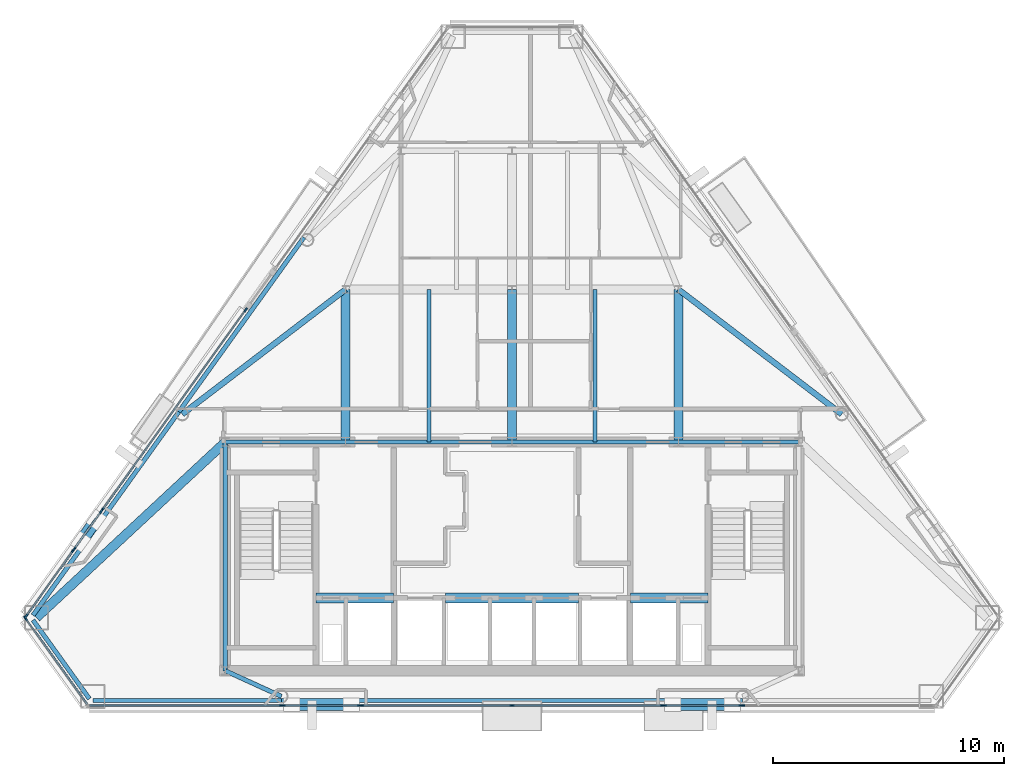
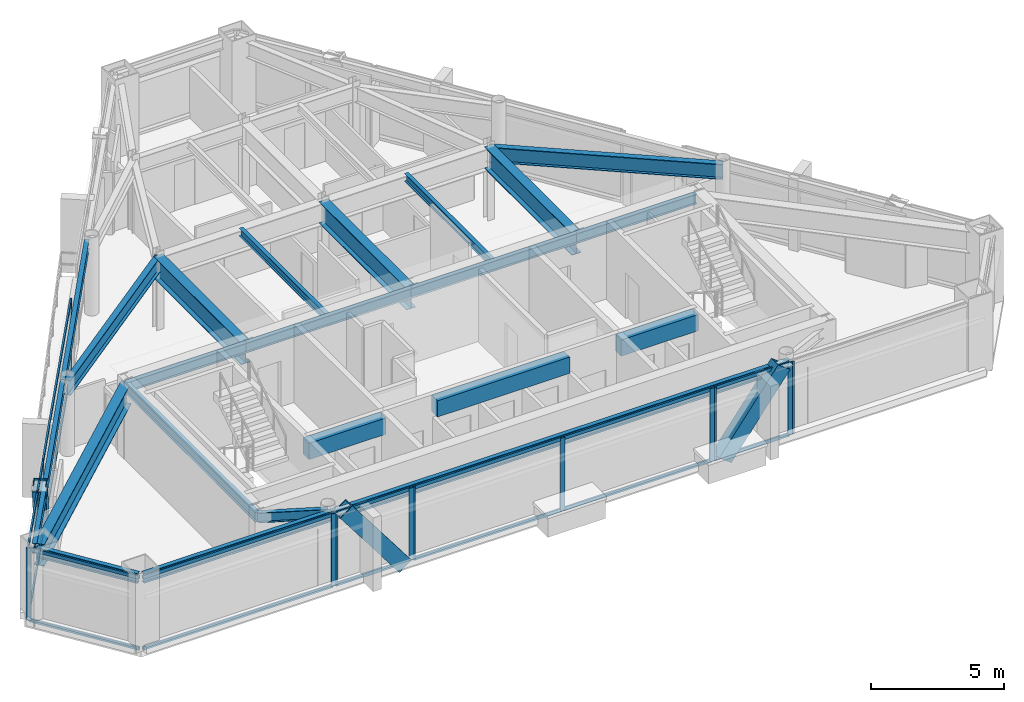
# One storey, part 3 of 11: 37 members, 22 beams, 9 elements without a shape of their own.
"""IFC4 building model written with IfcOpenShell, lengths in metres."""

from ifc_helpers import new_model, si_unit, direction, frame, origin, origin_2d, place, context, subcontext, project, spatial, rectangle, hollow_rectangle, i_section, extrude, material, layer, layer_set, material_profile, profile_set, type_object, element, aggregate, save


model = new_model("IFC4")

# Units and contexts
model_context = context("Model", 3, precision=1e-05, world=origin(), true_north=direction((0.0, 1.0)))
body_context = subcontext(model_context, "Body", "Model", "MODEL_VIEW")
ifc_project = project(units=[si_unit("LENGTHUNIT", "METRE"), si_unit("AREAUNIT", "SQUARE_METRE"), si_unit("VOLUMEUNIT", "CUBIC_METRE"), si_unit("PLANEANGLEUNIT", "RADIAN"), si_unit("MASSUNIT", "GRAM", prefix="KILO")], contexts=[model_context])

# Site, building, storey
site_placement = place(None, origin())
site = spatial("IfcSite", under=ifc_project, at=site_placement, CompositionType="ELEMENT")
building_placement = place(site_placement, origin())
building = spatial("IfcBuilding", under=site, at=building_placement, Name="Talgorran Terracotta Tower", CompositionType="ELEMENT")
storey_placement = place(building_placement, frame((0.0, 0.0, 233.39990234375)))
storey = spatial("IfcBuildingStorey", under=building, at=storey_placement, Name="L61", CompositionType="ELEMENT", Elevation=233.39990234375)

# Beams
ifc_material_1 = material(Name="Steel Grade 350 (350L0)", Category="steel")
ifc_material_profile_1 = material_profile(ifc_material_1, i_section(OverallWidth=0.39990234375, OverallDepth=1.0, WebThickness=0.01611328125, FlangeThickness=0.031005859375, at=origin_2d()), Name="1000WB296")
ifc_profile_set_1 = profile_set([ifc_material_profile_1], Name="Steel Grade 350 (350L0)")
beam_type_1 = type_object("IfcBeamType", Name="BM_1000WB296", PredefinedType="BEAM", material=ifc_profile_set_1)
for number, where, z_axis, x_axis, name in (
    (1, (-7.199951171875, -4.199951171875, 2.84521484375), (0.0, 1.0, 0.0), (-1.0, 0.0, 0.0), "L61 Floor Girder G01"),
    (2, (0.0, -4.199951171875, 2.84521484375), (0.0, 1.0, 0.0), (-1.0, 0.0, 0.0), "L61 Floor Girder G02"),
    (3, (7.199951171875, -4.199951171875, 2.84521484375), (0.0, 1.0, 0.0), (-1.0, 0.0, 0.0), "L61 Floor Girder G03"),
):
    element("IfcBeam", number, at=place(storey_placement, frame(where, z_axis=z_axis, x_axis=x_axis)), inside=storey, type_object=beam_type_1, Name=name, PredefinedType="BEAM", context=body_context, shape_type="SweptSolid", body=[
        extrude(i_section(OverallWidth=0.39990234375, OverallDepth=1.0, WebThickness=0.01611328125, FlangeThickness=0.031005859375, at=origin_2d()), origin(), (0.0, 0.0, 1.0), 6.599853515625),
    ])
beam_1_placement = place(storey_placement, frame((-12.39990234375, -4.199951171875, 2.84521484375), z_axis=(-0.732477257619, -0.68079150044, 0.0), x_axis=(0.68079150044, -0.732477257619, 0.0)))
element("IfcBeam", 4, at=beam_1_placement, inside=storey, type_object=beam_type_1, Name="L61 Floor Girder G17", PredefinedType="BEAM", context=body_context, shape_type="SweptSolid", body=[
    extrude(i_section(OverallWidth=0.39990234375, OverallDepth=1.0, WebThickness=0.01611328125, FlangeThickness=0.031005859375, at=origin_2d()), origin(), (0.0, 0.0, 1.0), 11.16650390625),
])
ifc_material_2 = material(Name="Steel S355 (300PLUS)", Category="steel")
ifc_material_profile_2 = material_profile(ifc_material_2, i_section(OverallWidth=0.25, OverallDepth=0.699951171875, WebThickness=0.011962890625, FlangeThickness=0.02392578125, at=origin_2d()), Name="700WB150")
ifc_profile_set_2 = profile_set([ifc_material_profile_2], Name="Steel S355 (300PLUS)")
beam_type_2 = type_object("IfcBeamType", Name="BM_700WB150", PredefinedType="BEAM", material=ifc_profile_set_2)
for number, where, z_axis, x_axis, name in (
    (5, (-7.199951171875, 2.39990234375, 2.9951171875), (-0.794675605049, -0.60703433407, 0.0), (0.60703433407, -0.794675605049, 0.0), "L61 Floor Girder G06"),
    (6, (7.199951171875, 2.39990234375, 2.9951171875), (0.794675605049, -0.60703433407, 0.0), (0.60703433407, 0.794675605049, 0.0), "L61 Floor Girder G07"),
):
    element("IfcBeam", number, at=place(storey_placement, frame(where, z_axis=z_axis, x_axis=x_axis)), inside=storey, type_object=beam_type_2, Name=name, PredefinedType="BEAM", context=body_context, shape_type="SweptSolid", body=[
        extrude(i_section(OverallWidth=0.25, OverallDepth=0.699951171875, WebThickness=0.011962890625, FlangeThickness=0.02392578125, at=origin_2d()), origin(), (0.0, 0.0, 1.0), 8.894287109375),
    ])
ifc_material_3 = material(Name="Concrete C50/60", Category="concrete")
ifc_material_profile_3 = material_profile(ifc_material_3, rectangle(XDim=0.449951171875, YDim=0.75, at=origin_2d()), Name="RCCB450X750")
ifc_profile_set_3 = profile_set([ifc_material_profile_3], Name="Concrete C50/60")
beam_type_3 = type_object("IfcBeamType", Name="BM_CB_450X750", PredefinedType="LINTEL", material=ifc_profile_set_3)
beam_2_placement = place(storey_placement, frame((-8.47998046875, -10.949951171875, 2.97021484375), z_axis=(1.0, 0.0, 0.0), x_axis=(0.0, 1.0, 0.0)))
element("IfcBeam", 7, at=beam_2_placement, inside=storey, type_object=beam_type_3, Name="L61 Core Shear-Wall Coupling Beam CB1", PredefinedType="LINTEL", context=body_context, shape_type="SweptSolid", body=[
    extrude(rectangle(XDim=0.449951171875, YDim=0.75, at=origin_2d()), origin(), (0.0, 0.0, 1.0), 3.35986328125),
])
beam_3_placement = place(storey_placement, frame((-2.8798828125, -10.949951171875, 2.97021484375), z_axis=(1.0, 0.0, 0.0), x_axis=(0.0, 1.0, 0.0)))
element("IfcBeam", 8, at=beam_3_placement, inside=storey, type_object=beam_type_3, Name="L61 Core Shear-Wall Coupling Beam CB2", PredefinedType="LINTEL", context=body_context, shape_type="SweptSolid", body=[
    extrude(rectangle(XDim=0.449951171875, YDim=0.75, at=origin_2d()), origin(), (0.0, 0.0, 1.0), 5.759765625),
])
beam_4_placement = place(storey_placement, frame((5.1201171875, -10.949951171875, 2.97021484375), z_axis=(1.0, 0.0, 0.0), x_axis=(0.0, 1.0, 0.0)))
element("IfcBeam", 9, at=beam_4_placement, inside=storey, type_object=beam_type_3, Name="L61 Core Shear-Wall Coupling Beam CB3", PredefinedType="LINTEL", context=body_context, shape_type="SweptSolid", body=[
    extrude(rectangle(XDim=0.449951171875, YDim=0.75, at=origin_2d()), origin(), (0.0, 0.0, 1.0), 3.35986328125),
])
ifc_material_profile_4 = material_profile(ifc_material_2, i_section(OverallWidth=0.17138671875, OverallDepth=0.355712890625, WebThickness=0.00732421875, FlangeThickness=0.011474609375, at=origin_2d()), Name="360UB50.7")
ifc_profile_set_4 = profile_set([ifc_material_profile_4], Name="Steel S355 (300PLUS)")
beam_type_4 = type_object("IfcBeamType", Name="BM_JS_360UB51", PredefinedType="JOIST", material=ifc_profile_set_4)
for number, where, z_axis, x_axis, name in (
    (10, (-3.60009765625, -4.199951171875, 3.167236328125), (0.0, 1.0, 0.0), (-1.0, 0.0, 0.0), "L61 Secondary Joist J01"),
    (11, (3.60009765625, -4.199951171875, 3.167236328125), (0.0, 1.0, 0.0), (-1.0, 0.0, 0.0), "L61 Secondary Joist J02"),
):
    element("IfcBeam", number, at=place(storey_placement, frame(where, z_axis=z_axis, x_axis=x_axis)), inside=storey, type_object=beam_type_4, Name=name, PredefinedType="JOIST", context=body_context, shape_type="SweptSolid", body=[
        extrude(i_section(OverallWidth=0.17138671875, OverallDepth=0.355712890625, WebThickness=0.00732421875, FlangeThickness=0.011474609375, at=origin_2d()), origin(), (0.0, 0.0, 1.0), 6.599853515625),
    ])
ifc_material_profile_5 = material_profile(ifc_material_2, i_section(OverallWidth=0.18994140625, OverallDepth=0.45703125, WebThickness=0.009033203125, FlangeThickness=0.014404296875, at=origin_2d()), Name="460UB74.6")
ifc_profile_set_5 = profile_set([ifc_material_profile_5], Name="Steel S355 (300PLUS)")
beam_type_5 = type_object("IfcBeamType", Name="BM_SP_460UB74", PredefinedType="SPANDREL", material=ifc_profile_set_5)
beam_5_placement = place(storey_placement, frame((-20.725341796875, -11.906982421875, 3.11669921875), z_axis=(0.582692129248, -0.812692981705, 0.0), x_axis=(0.812692981705, 0.582692129248, 0.0)))
element("IfcBeam", 12, at=beam_5_placement, inside=storey, type_object=beam_type_5, Name="L61 Perimeter Spandrel Beam MC1-MC2", PredefinedType="SPANDREL", context=body_context, shape_type="SweptSolid", body=[
    extrude(i_section(OverallWidth=0.18994140625, OverallDepth=0.45703125, WebThickness=0.009033203125, FlangeThickness=0.014404296875, at=origin_2d()), origin(), (0.0, 0.0, 1.0), 4.190673828125),
])
beam_6_placement = place(storey_placement, frame((-18.13720703125, -15.3876953125, 3.11669921875), z_axis=(1.0, 0.0, 0.0), x_axis=(0.0, 1.0, 0.0)))
element("IfcBeam", 13, at=beam_6_placement, inside=storey, type_object=beam_type_5, Name="L61 Perimeter Spandrel Beam MC2-FC1", PredefinedType="SPANDREL", context=body_context, shape_type="SweptSolid", body=[
    extrude(i_section(OverallWidth=0.18994140625, OverallDepth=0.45703125, WebThickness=0.009033203125, FlangeThickness=0.014404296875, at=origin_2d()), origin(), (0.0, 0.0, 1.0), 8.16162109375),
])
beam_7_placement = place(storey_placement, frame((-9.9755859375, -15.3876953125, 3.11669921875), z_axis=(1.0, 0.0, 0.0), x_axis=(0.0, 1.0, 0.0)))
element("IfcBeam", 14, at=beam_7_placement, inside=storey, type_object=beam_type_5, Name="L61 Perimeter Spandrel Beam FC1-FC2", PredefinedType="SPANDREL", context=body_context, shape_type="SweptSolid", body=[
    extrude(i_section(OverallWidth=0.18994140625, OverallDepth=0.45703125, WebThickness=0.009033203125, FlangeThickness=0.014404296875, at=origin_2d()), origin(), (0.0, 0.0, 1.0), 19.951171875),
])
beam_8_placement = place(storey_placement, frame((-9.0048828125, 4.65087890625, 3.11669921875), z_axis=(-0.582665161137, -0.812712316873, 0.0), x_axis=(0.812712316873, -0.582665161137, 0.0)))
element("IfcBeam", 15, at=beam_8_placement, inside=storey, type_object=beam_type_5, Name="L61 Perimeter Spandrel Beam FC5-FC6", PredefinedType="SPANDREL", context=body_context, shape_type="SweptSolid", body=[
    extrude(i_section(OverallWidth=0.18994140625, OverallDepth=0.45703125, WebThickness=0.009033203125, FlangeThickness=0.014404296875, at=origin_2d()), origin(), (0.0, 0.0, 1.0), 9.283935546875),
])
beam_9_placement = place(storey_placement, frame((-14.414306640625, -2.894287109375, 3.11669921875), z_axis=(-0.5826658635, -0.812711813321, 0.0), x_axis=(0.812711813321, -0.5826658635, 0.0)))
element("IfcBeam", 16, at=beam_9_placement, inside=storey, type_object=beam_type_5, Name="L61 Perimeter Spandrel Beam FC6-MC1", PredefinedType="SPANDREL", context=body_context, shape_type="SweptSolid", body=[
    extrude(i_section(OverallWidth=0.18994140625, OverallDepth=0.45703125, WebThickness=0.009033203125, FlangeThickness=0.014404296875, at=origin_2d()), origin(), (0.0, 0.0, 1.0), 10.831298828125),
])
beam_10_placement = place(storey_placement, frame((-9.9755859375, -15.207763671875, 3.11669921875), z_axis=(-0.909558570389, 0.415575753661, 0.0), x_axis=(-0.415575753661, -0.909558570389, 0.0)))
element("IfcBeam", 17, at=beam_10_placement, inside=storey, type_object=beam_type_5, Name="L61 South-West Core Tie Beam", PredefinedType="SPANDREL", context=body_context, shape_type="SweptSolid", body=[
    extrude(i_section(OverallWidth=0.18994140625, OverallDepth=0.45703125, WebThickness=0.009033203125, FlangeThickness=0.014404296875, at=origin_2d()), origin(), (0.0, 0.0, 1.0), 2.665283203125),
])
beam_11_placement = place(storey_placement, frame((-12.39990234375, -14.10009765625, 3.11669921875), z_axis=(0.0, 1.0, 0.0), x_axis=(-1.0, 0.0, 0.0)))
element("IfcBeam", 18, at=beam_11_placement, inside=storey, type_object=beam_type_5, Name="L61 Core Frame Beam CFW", PredefinedType="SPANDREL", context=body_context, shape_type="SweptSolid", body=[
    extrude(i_section(OverallWidth=0.18994140625, OverallDepth=0.45703125, WebThickness=0.009033203125, FlangeThickness=0.014404296875, at=origin_2d()), origin(), (0.0, 0.0, 1.0), 9.900146484375),
])
beam_12_placement = place(storey_placement, frame((-12.39990234375, -4.199951171875, 3.11669921875), z_axis=(1.0, 0.0, 0.0), x_axis=(0.0, 1.0, 0.0)))
element("IfcBeam", 19, at=beam_12_placement, inside=storey, type_object=beam_type_5, Name="L61 Core Frame Beam CFN1", PredefinedType="SPANDREL", context=body_context, shape_type="SweptSolid", body=[
    extrude(i_section(OverallWidth=0.18994140625, OverallDepth=0.45703125, WebThickness=0.009033203125, FlangeThickness=0.014404296875, at=origin_2d()), origin(), (0.0, 0.0, 1.0), 5.199951171875),
])
for number, where, z_axis, x_axis, name in (
    (20, (-7.199951171875, -4.199951171875, 3.11669921875), (1.0, 0.0, 0.0), (0.0, 1.0, 0.0), "L61 Core Frame Beam CFN2"),
    (21, (0.0, -4.199951171875, 3.11669921875), (1.0, 0.0, 0.0), (0.0, 1.0, 0.0), "L61 Core Frame Beam CFN3"),
):
    element("IfcBeam", number, at=place(storey_placement, frame(where, z_axis=z_axis, x_axis=x_axis)), inside=storey, type_object=beam_type_5, Name=name, PredefinedType="SPANDREL", context=body_context, shape_type="SweptSolid", body=[
        extrude(i_section(OverallWidth=0.18994140625, OverallDepth=0.45703125, WebThickness=0.009033203125, FlangeThickness=0.014404296875, at=origin_2d()), origin(), (0.0, 0.0, 1.0), 7.199951171875),
    ])
beam_13_placement = place(storey_placement, frame((7.199951171875, -4.199951171875, 3.11669921875), z_axis=(1.0, 0.0, 0.0), x_axis=(0.0, 1.0, 0.0)))
element("IfcBeam", 22, at=beam_13_placement, inside=storey, type_object=beam_type_5, Name="L61 Core Frame Beam CFN4", PredefinedType="SPANDREL", context=body_context, shape_type="SweptSolid", body=[
    extrude(i_section(OverallWidth=0.18994140625, OverallDepth=0.45703125, WebThickness=0.009033203125, FlangeThickness=0.014404296875, at=origin_2d()), origin(), (0.0, 0.0, 1.0), 5.199951171875),
])

# Members
ifc_material_profile_6 = material_profile(ifc_material_1, hollow_rectangle(XDim=0.52001953125, YDim=0.659912109375, WallThickness=0.034912109375, at=origin_2d()), Name="WBOX660X520X35")
ifc_profile_set_6 = profile_set([ifc_material_profile_6], Name="Steel Grade 350 (350L0)")
member_type_1 = type_object("IfcMemberType", Name="MB_MEGA_660", PredefinedType="BRACE", material=ifc_profile_set_6)
for number, where, z_axis, x_axis, name in (
    (23, (-6.96240234375, -15.56787109375, -0.02490234375), (-0.602805491463, 0.0, 0.797888174785), (0.0, -1.0, 0.0), "L61 Exterior Face Mega-Brace MB-3 (SWF)"),
    (24, (6.96240234375, -15.56787109375, -0.02490234375), (0.602805491463, 0.0, 0.797888174785), (0.0, 1.0, 0.0), "L61 Exterior Face Mega-Brace MB-3 (SEF)"),
):
    element("IfcMember", number, at=place(storey_placement, frame(where, z_axis=z_axis, x_axis=x_axis)), inside=storey, type_object=member_type_1, Name=name, PredefinedType="BRACE", context=body_context, shape_type="SweptSolid", body=[
        extrude(hollow_rectangle(XDim=0.52001953125, YDim=0.659912109375, WallThickness=0.034912109375, at=origin_2d()), origin(), (0.0, 0.0, 1.0), 4.255126953125),
    ])
member_1_placement = place(storey_placement, frame((-17.98583984375, -7.567138671875, -0.02490234375), z_axis=(-0.18860775187, -0.263043855963, 0.946168613818), x_axis=(0.812681078827, -0.582708730085, 0.0)))
element("IfcMember", 25, at=member_1_placement, inside=storey, type_object=member_type_1, Name="L61 Exterior Face Mega-Brace MB-3 (NWL)", PredefinedType="BRACE", context=body_context, shape_type="SweptSolid", body=[
    extrude(hollow_rectangle(XDim=0.52001953125, YDim=0.659912109375, WallThickness=0.034912109375, at=origin_2d()), origin(), (0.0, 0.0, 1.0), 3.588134765625),
])

# Curtain wall, member
ifc_material_4 = material(Name="High-Wind Unitised Glazing", Category="glass")
ifc_layer = layer(ifc_material_4, 0.2099609375, Name="CW_SYS3_RES_HIGH")
ifc_layer_set = layer_set([ifc_layer], Name="High-Wind Unitised Glazing")
curtain_wall_type = type_object("IfcCurtainWallType", Name="CW_SYS3_RES_HIGH", PredefinedType="NOTDEFINED", material=ifc_layer_set)
curtain_wall_1_placement = place(storey_placement, origin())
curtain_wall_1 = element("IfcCurtainWall", 26, at=curtain_wall_1_placement, inside=storey, type_object=curtain_wall_type, Name="CW-L61-F0", PredefinedType="NOTDEFINED")
ifc_material_5 = material(Name="Architectural Aluminium 6063-T6", Category="aluminium")
ifc_material_profile_7 = material_profile(ifc_material_5, rectangle(XDim=0.070068359375, YDim=0.199951171875, at=origin_2d()), Name="CWM70X200")
ifc_profile_set_7 = profile_set([ifc_material_profile_7], Name="Architectural Aluminium 6063-T6")
member_type_2 = type_object("IfcMemberType", Name="MUL_70X200", PredefinedType="MULLION", material=ifc_profile_set_7)
member_2_placement = place(storey_placement, frame((-21.05078125, -11.83056640625, 0.0), z_axis=(0.0, 0.0, 1.0), x_axis=(0.812714993724, 0.582661427396, 0.0)))
member_2 = element("IfcMember", 27, at=member_2_placement, type_object=member_type_2, Name="CW-L61-0 mullion 1", PredefinedType="MULLION", context=body_context, shape_type="SweptSolid", body=[
    extrude(rectangle(XDim=0.070068359375, YDim=0.199951171875, at=origin_2d()), origin(), (0.0, 0.0, 1.0), 3.34521484375),
])

curtain_wall_2_placement = place(storey_placement, origin())
curtain_wall_2 = element("IfcCurtainWall", 28, at=curtain_wall_2_placement, inside=storey, type_object=curtain_wall_type, Name="CW-L61-F1", PredefinedType="NOTDEFINED")
member_3_placement = place(storey_placement, frame((-9.980712890625, -15.60791015625, 0.0), z_axis=(0.0, 0.0, 1.0), x_axis=(0.0, 1.0, 0.0)))
member_3 = element("IfcMember", 29, at=member_3_placement, type_object=member_type_2, Name="CW-L61-1 mullion 2", PredefinedType="MULLION", context=body_context, shape_type="SweptSolid", body=[
    extrude(rectangle(XDim=0.070068359375, YDim=0.199951171875, at=origin_2d()), origin(), (0.0, 0.0, 1.0), 3.34521484375),
])

# Curtain wall, members
curtain_wall_3_placement = place(storey_placement, origin())
curtain_wall_3 = element("IfcCurtainWall", 30, at=curtain_wall_3_placement, inside=storey, type_object=curtain_wall_type, Name="CW-L61-F1B", PredefinedType="NOTDEFINED")
member_4_placement = place(storey_placement, frame((-9.900634765625, -15.60791015625, 0.0), z_axis=(0.0, 0.0, 1.0), x_axis=(0.0, 1.0, 0.0)))
member_4 = element("IfcMember", 31, at=member_4_placement, type_object=member_type_2, Name="CW-L61-1B mullion 1", PredefinedType="MULLION", context=body_context, shape_type="SweptSolid", body=[
    extrude(rectangle(XDim=0.070068359375, YDim=0.199951171875, at=origin_2d()), origin(), (0.0, 0.0, 1.0), 3.34521484375),
])
member_5_placement = place(storey_placement, frame((-6.589111328125, -15.60791015625, 0.0), z_axis=(0.0, 0.0, 1.0), x_axis=(0.0, 1.0, 0.0)))
member_5 = element("IfcMember", 32, at=member_5_placement, type_object=member_type_2, Name="CW-L61-1B mullion 2", PredefinedType="MULLION", context=body_context, shape_type="SweptSolid", body=[
    extrude(rectangle(XDim=0.070068359375, YDim=0.199951171875, at=origin_2d()), origin(), (0.0, 0.0, 1.0), 3.34521484375),
])

curtain_wall_4_placement = place(storey_placement, origin())
curtain_wall_4 = element("IfcCurtainWall", 33, at=curtain_wall_4_placement, inside=storey, type_object=curtain_wall_type, Name="CW-L61-F1C", PredefinedType="NOTDEFINED")
member_6_placement = place(storey_placement, frame((-6.509033203125, -15.60791015625, 0.0), z_axis=(0.0, 0.0, 1.0), x_axis=(0.0, 1.0, 0.0)))
member_6 = element("IfcMember", 34, at=member_6_placement, type_object=member_type_2, Name="CW-L61-1C mullion 1", PredefinedType="MULLION", context=body_context, shape_type="SweptSolid", body=[
    extrude(rectangle(XDim=0.070068359375, YDim=0.199951171875, at=origin_2d()), origin(), (0.0, 0.0, 1.0), 3.34521484375),
])
member_7_placement = place(storey_placement, frame((0.0, -15.60791015625, 0.0), z_axis=(0.0, 0.0, 1.0), x_axis=(0.0, 1.0, 0.0)))
member_7 = element("IfcMember", 35, at=member_7_placement, type_object=member_type_2, Name="CW-L61-1C mullion 2", PredefinedType="MULLION", context=body_context, shape_type="SweptSolid", body=[
    extrude(rectangle(XDim=0.070068359375, YDim=0.199951171875, at=origin_2d()), origin(), (0.0, 0.0, 1.0), 3.34521484375),
])
member_8_placement = place(storey_placement, frame((6.509033203125, -15.60791015625, 0.0), z_axis=(0.0, 0.0, 1.0), x_axis=(0.0, 1.0, 0.0)))
member_8 = element("IfcMember", 36, at=member_8_placement, type_object=member_type_2, Name="CW-L61-1C mullion 3", PredefinedType="MULLION", context=body_context, shape_type="SweptSolid", body=[
    extrude(rectangle(XDim=0.070068359375, YDim=0.199951171875, at=origin_2d()), origin(), (0.0, 0.0, 1.0), 3.34521484375),
])

curtain_wall_5_placement = place(storey_placement, origin())
curtain_wall_5 = element("IfcCurtainWall", 37, at=curtain_wall_5_placement, inside=storey, type_object=curtain_wall_type, Name="CW-L61-F1D", PredefinedType="NOTDEFINED")
member_9_placement = place(storey_placement, frame((6.589111328125, -15.60791015625, 0.0), z_axis=(0.0, 0.0, 1.0), x_axis=(0.0, 1.0, 0.0)))
member_9 = element("IfcMember", 38, at=member_9_placement, type_object=member_type_2, Name="CW-L61-1D mullion 1", PredefinedType="MULLION", context=body_context, shape_type="SweptSolid", body=[
    extrude(rectangle(XDim=0.070068359375, YDim=0.199951171875, at=origin_2d()), origin(), (0.0, 0.0, 1.0), 3.34521484375),
])
member_10_placement = place(storey_placement, frame((9.900634765625, -15.60791015625, 0.0), z_axis=(0.0, 0.0, 1.0), x_axis=(0.0, 1.0, 0.0)))
member_10 = element("IfcMember", 39, at=member_10_placement, type_object=member_type_2, Name="CW-L61-1D mullion 2", PredefinedType="MULLION", context=body_context, shape_type="SweptSolid", body=[
    extrude(rectangle(XDim=0.070068359375, YDim=0.199951171875, at=origin_2d()), origin(), (0.0, 0.0, 1.0), 3.34521484375),
])

# Curtain wall, member
curtain_wall_6_placement = place(storey_placement, origin())
curtain_wall_6 = element("IfcCurtainWall", 40, at=curtain_wall_6_placement, inside=storey, type_object=curtain_wall_type, Name="CW-L61-F1E", PredefinedType="NOTDEFINED")
member_11_placement = place(storey_placement, frame((9.980712890625, -15.60791015625, 0.0), z_axis=(0.0, 0.0, 1.0), x_axis=(0.0, 1.0, 0.0)))
member_11 = element("IfcMember", 41, at=member_11_placement, type_object=member_type_2, Name="CW-L61-1E mullion 1", PredefinedType="MULLION", context=body_context, shape_type="SweptSolid", body=[
    extrude(rectangle(XDim=0.070068359375, YDim=0.199951171875, at=origin_2d()), origin(), (0.0, 0.0, 1.0), 3.34521484375),
])
aggregate(curtain_wall_6, [member_11])

# Curtain wall, members
curtain_wall_7_placement = place(storey_placement, origin())
curtain_wall_7 = element("IfcCurtainWall", 42, at=curtain_wall_7_placement, inside=storey, type_object=curtain_wall_type, Name="CW-L61-F61", PredefinedType="NOTDEFINED")
member_12_placement = place(storey_placement, frame((-11.52197265625, 1.517333984375, 0.0), z_axis=(0.0, 0.0, 1.0), x_axis=(0.81271086113, -0.582667191629, 0.0)))
member_12 = element("IfcMember", 43, at=member_12_placement, type_object=member_type_2, Name="CW-L61-61 mullion 1", PredefinedType="MULLION", context=body_context, shape_type="SweptSolid", body=[
    extrude(rectangle(XDim=0.070068359375, YDim=0.199951171875, at=origin_2d()), origin(), (0.0, 0.0, 1.0), 3.34521484375),
])
member_13_placement = place(storey_placement, frame((-17.7255859375, -7.1357421875, 0.0), z_axis=(0.0, 0.0, 1.0), x_axis=(0.81271086113, -0.582667191629, 0.0)))
member_13 = element("IfcMember", 44, at=member_13_placement, type_object=member_type_2, Name="CW-L61-61 mullion 2", PredefinedType="MULLION", context=body_context, shape_type="SweptSolid", body=[
    extrude(rectangle(XDim=0.070068359375, YDim=0.199951171875, at=origin_2d()), origin(), (0.0, 0.0, 1.0), 3.34521484375),
])

curtain_wall_8_placement = place(storey_placement, origin())
curtain_wall_8 = element("IfcCurtainWall", 45, at=curtain_wall_8_placement, inside=storey, type_object=curtain_wall_type, Name="CW-L61-F61B", PredefinedType="NOTDEFINED")
member_14_placement = place(storey_placement, frame((-17.772216796875, -7.20068359375, 0.0), z_axis=(0.0, 0.0, 1.0), x_axis=(0.81272322029, -0.582649952546, 0.0)))
member_14 = element("IfcMember", 46, at=member_14_placement, type_object=member_type_2, Name="CW-L61-61B mullion 1", PredefinedType="MULLION", context=body_context, shape_type="SweptSolid", body=[
    extrude(rectangle(XDim=0.070068359375, YDim=0.199951171875, at=origin_2d()), origin(), (0.0, 0.0, 1.0), 3.34521484375),
])
member_15_placement = place(storey_placement, frame((-18.94091796875, -8.8310546875, 0.0), z_axis=(0.0, 0.0, 1.0), x_axis=(0.81272322029, -0.582649952546, 0.0)))
member_15 = element("IfcMember", 47, at=member_15_placement, type_object=member_type_2, Name="CW-L61-61B mullion 2", PredefinedType="MULLION", context=body_context, shape_type="SweptSolid", body=[
    extrude(rectangle(XDim=0.070068359375, YDim=0.199951171875, at=origin_2d()), origin(), (0.0, 0.0, 1.0), 3.34521484375),
])

curtain_wall_9_placement = place(storey_placement, origin())
curtain_wall_9 = element("IfcCurtainWall", 48, at=curtain_wall_9_placement, inside=storey, type_object=curtain_wall_type, Name="CW-L61-F61C", PredefinedType="NOTDEFINED")
member_16_placement = place(storey_placement, frame((-18.98779296875, -8.89599609375, 0.0), z_axis=(0.0, 0.0, 1.0), x_axis=(0.812719875609, -0.582654617926, 0.0)))
member_16 = element("IfcMember", 49, at=member_16_placement, type_object=member_type_2, Name="CW-L61-61C mullion 1", PredefinedType="MULLION", context=body_context, shape_type="SweptSolid", body=[
    extrude(rectangle(XDim=0.070068359375, YDim=0.199951171875, at=origin_2d()), origin(), (0.0, 0.0, 1.0), 3.34521484375),
])
member_17_placement = place(storey_placement, frame((-21.02734375, -11.740966796875, 0.0), z_axis=(0.0, 0.0, 1.0), x_axis=(0.812719875609, -0.582654617926, 0.0)))
member_17 = element("IfcMember", 50, at=member_17_placement, type_object=member_type_2, Name="CW-L61-61C mullion 2", PredefinedType="MULLION", context=body_context, shape_type="SweptSolid", body=[
    extrude(rectangle(XDim=0.070068359375, YDim=0.199951171875, at=origin_2d()), origin(), (0.0, 0.0, 1.0), 3.34521484375),
])

# Member
ifc_material_profile_8 = material_profile(ifc_material_5, rectangle(XDim=0.070068359375, YDim=0.159912109375, at=origin_2d()), Name="CWT70X160")
ifc_profile_set_8 = profile_set([ifc_material_profile_8], Name="Architectural Aluminium 6063-T6")
member_type_3 = type_object("IfcMemberType", Name="TRN_70X160", PredefinedType="USERDEFINED", material=ifc_profile_set_8)
member_18_placement = place(storey_placement, frame((-21.0302734375, -11.85888671875, 0.03515625), z_axis=(0.582655627037, -0.812719152157, 0.0), x_axis=(0.812719152157, 0.582655627037, 0.0)))
member_18 = element("IfcMember", 51, at=member_18_placement, type_object=member_type_3, Name="CW-L61-0 transom 1.1", ObjectType="TRANSOM", PredefinedType="USERDEFINED", context=body_context, shape_type="SweptSolid", body=[
    extrude(rectangle(XDim=0.070068359375, YDim=0.159912109375, at=origin_2d()), origin(), (0.0, 0.0, 1.0), 4.54296875),
])

member_19_placement = place(storey_placement, frame((-21.0302734375, -11.85888671875, 3.31005859375), z_axis=(0.582655627037, -0.812719152157, 0.0), x_axis=(0.812719152157, 0.582655627037, 0.0)))
member_19 = element("IfcMember", 52, at=member_19_placement, type_object=member_type_3, Name="CW-L61-0 transom 1.2", ObjectType="TRANSOM", PredefinedType="USERDEFINED", context=body_context, shape_type="SweptSolid", body=[
    extrude(rectangle(XDim=0.070068359375, YDim=0.159912109375, at=origin_2d()), origin(), (0.0, 0.0, 1.0), 4.54296875),
])

aggregate(curtain_wall_1, [member_2, member_18, member_19])

member_20_placement = place(storey_placement, frame((-18.272705078125, -15.60791015625, 0.03515625), z_axis=(1.0, 0.0, 0.0), x_axis=(0.0, 1.0, 0.0)))
member_20 = element("IfcMember", 53, at=member_20_placement, type_object=member_type_3, Name="CW-L61-1 transom 1.1", ObjectType="TRANSOM", PredefinedType="USERDEFINED", context=body_context, shape_type="SweptSolid", body=[
    extrude(rectangle(XDim=0.070068359375, YDim=0.159912109375, at=origin_2d()), origin(), (0.0, 0.0, 1.0), 8.257080078125),
])

member_21_placement = place(storey_placement, frame((-18.272705078125, -15.60791015625, 3.31005859375), z_axis=(1.0, 0.0, 0.0), x_axis=(0.0, 1.0, 0.0)))
member_21 = element("IfcMember", 54, at=member_21_placement, type_object=member_type_3, Name="CW-L61-1 transom 1.2", ObjectType="TRANSOM", PredefinedType="USERDEFINED", context=body_context, shape_type="SweptSolid", body=[
    extrude(rectangle(XDim=0.070068359375, YDim=0.159912109375, at=origin_2d()), origin(), (0.0, 0.0, 1.0), 8.257080078125),
])

aggregate(curtain_wall_2, [member_3, member_20, member_21])

member_22_placement = place(storey_placement, frame((-9.86572265625, -15.60791015625, 0.03515625), z_axis=(1.0, 0.0, 0.0), x_axis=(0.0, 1.0, 0.0)))
member_22 = element("IfcMember", 55, at=member_22_placement, type_object=member_type_3, Name="CW-L61-1B transom 1.1", ObjectType="TRANSOM", PredefinedType="USERDEFINED", context=body_context, shape_type="SweptSolid", body=[
    extrude(rectangle(XDim=0.070068359375, YDim=0.159912109375, at=origin_2d()), origin(), (0.0, 0.0, 1.0), 3.24169921875),
])

member_23_placement = place(storey_placement, frame((-9.86572265625, -15.60791015625, 3.31005859375), z_axis=(1.0, 0.0, 0.0), x_axis=(0.0, 1.0, 0.0)))
member_23 = element("IfcMember", 56, at=member_23_placement, type_object=member_type_3, Name="CW-L61-1B transom 1.2", ObjectType="TRANSOM", PredefinedType="USERDEFINED", context=body_context, shape_type="SweptSolid", body=[
    extrude(rectangle(XDim=0.070068359375, YDim=0.159912109375, at=origin_2d()), origin(), (0.0, 0.0, 1.0), 3.24169921875),
])

aggregate(curtain_wall_3, [member_4, member_5, member_22, member_23])

member_24_placement = place(storey_placement, frame((-6.47412109375, -15.60791015625, 0.03515625), z_axis=(1.0, 0.0, 0.0), x_axis=(0.0, 1.0, 0.0)))
member_24 = element("IfcMember", 57, at=member_24_placement, type_object=member_type_3, Name="CW-L61-1C transom 1.1", ObjectType="TRANSOM", PredefinedType="USERDEFINED", context=body_context, shape_type="SweptSolid", body=[
    extrude(rectangle(XDim=0.070068359375, YDim=0.159912109375, at=origin_2d()), origin(), (0.0, 0.0, 1.0), 6.439208984375),
])

member_25_placement = place(storey_placement, frame((-6.47412109375, -15.60791015625, 3.31005859375), z_axis=(1.0, 0.0, 0.0), x_axis=(0.0, 1.0, 0.0)))
member_25 = element("IfcMember", 58, at=member_25_placement, type_object=member_type_3, Name="CW-L61-1C transom 1.2", ObjectType="TRANSOM", PredefinedType="USERDEFINED", context=body_context, shape_type="SweptSolid", body=[
    extrude(rectangle(XDim=0.070068359375, YDim=0.159912109375, at=origin_2d()), origin(), (0.0, 0.0, 1.0), 6.439208984375),
])

member_26_placement = place(storey_placement, frame((0.034912109375, -15.60791015625, 0.03515625), z_axis=(1.0, 0.0, 0.0), x_axis=(0.0, 1.0, 0.0)))
member_26 = element("IfcMember", 59, at=member_26_placement, type_object=member_type_3, Name="CW-L61-1C transom 2.1", ObjectType="TRANSOM", PredefinedType="USERDEFINED", context=body_context, shape_type="SweptSolid", body=[
    extrude(rectangle(XDim=0.070068359375, YDim=0.159912109375, at=origin_2d()), origin(), (0.0, 0.0, 1.0), 6.439208984375),
])

member_27_placement = place(storey_placement, frame((0.034912109375, -15.60791015625, 3.31005859375), z_axis=(1.0, 0.0, 0.0), x_axis=(0.0, 1.0, 0.0)))
member_27 = element("IfcMember", 60, at=member_27_placement, type_object=member_type_3, Name="CW-L61-1C transom 2.2", ObjectType="TRANSOM", PredefinedType="USERDEFINED", context=body_context, shape_type="SweptSolid", body=[
    extrude(rectangle(XDim=0.070068359375, YDim=0.159912109375, at=origin_2d()), origin(), (0.0, 0.0, 1.0), 6.439208984375),
])

aggregate(curtain_wall_4, [member_6, member_7, member_8, member_24, member_25, member_26, member_27])

member_28_placement = place(storey_placement, frame((6.6240234375, -15.60791015625, 0.03515625), z_axis=(1.0, 0.0, 0.0), x_axis=(0.0, 1.0, 0.0)))
member_28 = element("IfcMember", 61, at=member_28_placement, type_object=member_type_3, Name="CW-L61-1D transom 1.1", ObjectType="TRANSOM", PredefinedType="USERDEFINED", context=body_context, shape_type="SweptSolid", body=[
    extrude(rectangle(XDim=0.070068359375, YDim=0.159912109375, at=origin_2d()), origin(), (0.0, 0.0, 1.0), 3.24169921875),
])

member_29_placement = place(storey_placement, frame((6.6240234375, -15.60791015625, 3.31005859375), z_axis=(1.0, 0.0, 0.0), x_axis=(0.0, 1.0, 0.0)))
member_29 = element("IfcMember", 62, at=member_29_placement, type_object=member_type_3, Name="CW-L61-1D transom 1.2", ObjectType="TRANSOM", PredefinedType="USERDEFINED", context=body_context, shape_type="SweptSolid", body=[
    extrude(rectangle(XDim=0.070068359375, YDim=0.159912109375, at=origin_2d()), origin(), (0.0, 0.0, 1.0), 3.24169921875),
])

aggregate(curtain_wall_5, [member_9, member_10, member_28, member_29])

member_30_placement = place(storey_placement, frame((-11.54248046875, 1.48876953125, 0.03515625), z_axis=(-0.582658720982, -0.812716934033, 0.0), x_axis=(0.812716934033, -0.582658720982, 0.0)))
member_30 = element("IfcMember", 63, at=member_30_placement, type_object=member_type_3, Name="CW-L61-61 transom 1.1", ObjectType="TRANSOM", PredefinedType="USERDEFINED", context=body_context, shape_type="SweptSolid", body=[
    extrude(rectangle(XDim=0.070068359375, YDim=0.159912109375, at=origin_2d()), origin(), (0.0, 0.0, 1.0), 10.5771484375),
])

member_31_placement = place(storey_placement, frame((-11.54248046875, 1.48876953125, 3.31005859375), z_axis=(-0.582658720982, -0.812716934033, 0.0), x_axis=(0.812716934033, -0.582658720982, 0.0)))
member_31 = element("IfcMember", 64, at=member_31_placement, type_object=member_type_3, Name="CW-L61-61 transom 1.2", ObjectType="TRANSOM", PredefinedType="USERDEFINED", context=body_context, shape_type="SweptSolid", body=[
    extrude(rectangle(XDim=0.070068359375, YDim=0.159912109375, at=origin_2d()), origin(), (0.0, 0.0, 1.0), 10.5771484375),
])

aggregate(curtain_wall_7, [member_12, member_13, member_30, member_31])

member_32_placement = place(storey_placement, frame((-17.792724609375, -7.229248046875, 0.03515625), z_axis=(-0.582668913142, -0.812709626901, 0.0), x_axis=(0.812709626901, -0.582668913142, 0.0)))
member_32 = element("IfcMember", 65, at=member_32_placement, type_object=member_type_3, Name="CW-L61-61B transom 1.1", ObjectType="TRANSOM", PredefinedType="USERDEFINED", context=body_context, shape_type="SweptSolid", body=[
    extrude(rectangle(XDim=0.070068359375, YDim=0.159912109375, at=origin_2d()), origin(), (0.0, 0.0, 1.0), 1.935791015625),
])

member_33_placement = place(storey_placement, frame((-17.792724609375, -7.229248046875, 3.31005859375), z_axis=(-0.582668913142, -0.812709626901, 0.0), x_axis=(0.812709626901, -0.582668913142, 0.0)))
member_33 = element("IfcMember", 66, at=member_33_placement, type_object=member_type_3, Name="CW-L61-61B transom 1.2", ObjectType="TRANSOM", PredefinedType="USERDEFINED", context=body_context, shape_type="SweptSolid", body=[
    extrude(rectangle(XDim=0.070068359375, YDim=0.159912109375, at=origin_2d()), origin(), (0.0, 0.0, 1.0), 1.935791015625),
])

aggregate(curtain_wall_8, [member_14, member_15, member_32, member_33])

member_34_placement = place(storey_placement, frame((-19.008056640625, -8.92431640625, 0.03515625), z_axis=(-0.58265762236, -0.812717721663, 0.0), x_axis=(0.812717721663, -0.58265762236, 0.0)))
member_34 = element("IfcMember", 67, at=member_34_placement, type_object=member_type_3, Name="CW-L61-61C transom 1.1", ObjectType="TRANSOM", PredefinedType="USERDEFINED", context=body_context, shape_type="SweptSolid", body=[
    extrude(rectangle(XDim=0.070068359375, YDim=0.159912109375, at=origin_2d()), origin(), (0.0, 0.0, 1.0), 3.430908203125),
])

member_35_placement = place(storey_placement, frame((-19.008056640625, -8.92431640625, 3.31005859375), z_axis=(-0.58265762236, -0.812717721663, 0.0), x_axis=(0.812717721663, -0.58265762236, 0.0)))
member_35 = element("IfcMember", 68, at=member_35_placement, type_object=member_type_3, Name="CW-L61-61C transom 1.2", ObjectType="TRANSOM", PredefinedType="USERDEFINED", context=body_context, shape_type="SweptSolid", body=[
    extrude(rectangle(XDim=0.070068359375, YDim=0.159912109375, at=origin_2d()), origin(), (0.0, 0.0, 1.0), 3.430908203125),
])

aggregate(curtain_wall_9, [member_16, member_17, member_34, member_35])

save(model, "model.ifc")
